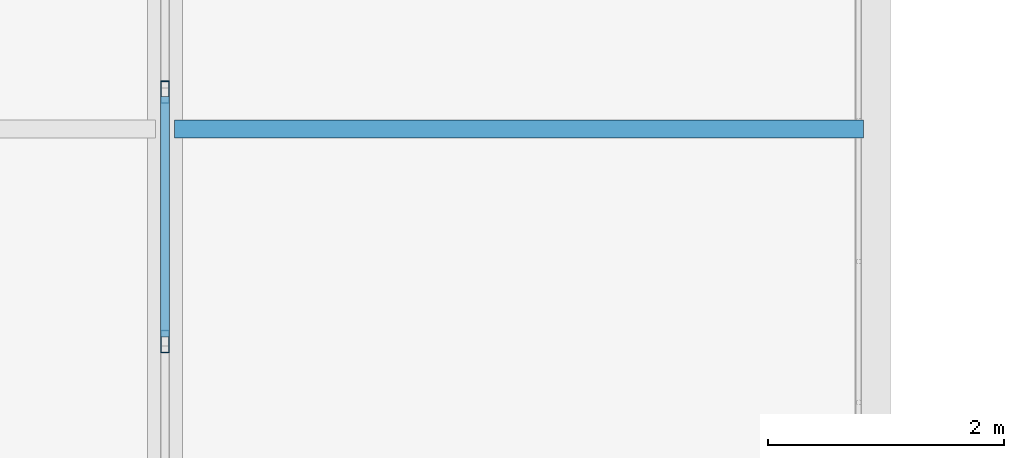
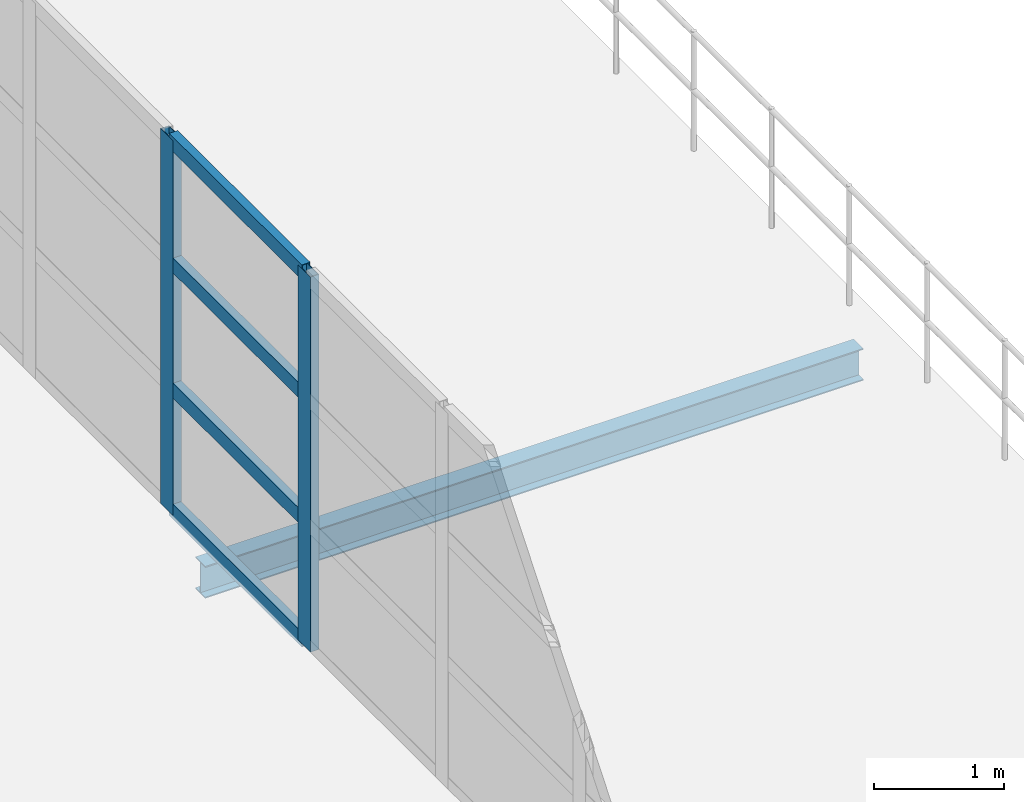
# One storey, part 13 of 86: 6 members, 1 beam, 1 element without a shape of its own.
"""IFC4 building model written with IfcOpenShell, lengths in metres."""

from ifc_helpers import new_model, si_unit, direction, frame, origin, origin_2d, place, context, subcontext, project, spatial, hollow_rectangle, i_section, extrude, material, layer, layer_set, material_profile, profile_set, type_object, element, aggregate, save


model = new_model("IFC4")

# Units and contexts
model_context = context("Model", 3, precision=1e-05, world=origin(), true_north=direction((0.0, 1.0)))
body_context = subcontext(model_context, "Body", "Model", "MODEL_VIEW")
ifc_project = project(units=[si_unit("LENGTHUNIT", "METRE"), si_unit("AREAUNIT", "SQUARE_METRE"), si_unit("VOLUMEUNIT", "CUBIC_METRE"), si_unit("PLANEANGLEUNIT", "RADIAN"), si_unit("MASSUNIT", "GRAM", prefix="KILO")], contexts=[model_context])

# Site, building, storey
site_placement = place(None, origin())
site = spatial("IfcSite", under=ifc_project, at=site_placement, CompositionType="ELEMENT")
building_placement = place(site_placement, origin())
building = spatial("IfcBuilding", under=site, at=building_placement, Name="Zilviju Railside Exhibition Hall", CompositionType="ELEMENT")
storey_placement = place(building_placement, frame((0.0, 0.0, 12.60009765625)))
storey = spatial("IfcBuildingStorey", under=building, at=storey_placement, Name="L04", CompositionType="ELEMENT", Elevation=12.60009765625)

# Beam
ifc_material_1 = material(Name="Steel S355J2", Category="steel")
ifc_material_profile_1 = material_profile(ifc_material_1, i_section(OverallWidth=0.14990234375, OverallDepth=0.300048828125, WebThickness=0.007080078125, FlangeThickness=0.0107421875, at=origin_2d()), Name="IPE 300")
ifc_profile_set_1 = profile_set([ifc_material_profile_1], Name="Steel S355J2")
beam_type = type_object("IfcBeamType", Name="BM-IPE300", PredefinedType="JOIST", material=ifc_profile_set_1)
beam_placement = place(storey_placement, frame((42.080078125, 94.800048828125, -0.489990234375), z_axis=(1.0, 0.0, 0.0), x_axis=(0.0, 1.0, 0.0)))
element("IfcBeam", 1, at=beam_placement, inside=storey, type_object=beam_type, Name="Composite Floor Joist L04 Y=94.80 (42.0..48.0)", PredefinedType="JOIST", context=body_context, shape_type="SweptSolid", body=[
    extrude(i_section(OverallWidth=0.14990234375, OverallDepth=0.300048828125, WebThickness=0.007080078125, FlangeThickness=0.0107421875, at=origin_2d()), origin(), (0.0, 0.0, 1.0), 5.83984375),
])

# Curtain wall, members
ifc_material_2 = material(Name="Thermally broken aluminium-steel triple-glazed curtain wall", Category="steel")
ifc_layer = layer(ifc_material_2, 0.179931640625)
ifc_layer_set = layer_set([ifc_layer], Name="Thermally broken aluminium-steel triple-glazed curtain wall")
curtain_wall_type = type_object("IfcCurtainWallType", Name="CW-BAY-07", PredefinedType="USERDEFINED", material=ifc_layer_set)
curtain_wall_placement = place(storey_placement, origin())
curtain_wall = element("IfcCurtainWall", 2, at=curtain_wall_placement, inside=storey, type_object=curtain_wall_type, Name="Organisers L04 Terrace Lounge Curtain Wall", ObjectType="GLAZED CURTAIN WALL", PredefinedType="USERDEFINED")
ifc_material_3 = material(Name="Thermally broken anodized aluminium mullion", Category="aluminium")
ifc_material_profile_2 = material_profile(ifc_material_3, hollow_rectangle(XDim=0.074951171875, YDim=0.18994140625, WallThickness=0.0048828125, at=origin_2d()), Name="MULLION 190x75x5")
ifc_profile_set_2 = profile_set([ifc_material_profile_2], Name="Thermally broken anodized aluminium mullion")
member_type_1 = type_object("IfcMemberType", Name="CWM-75x190", PredefinedType="MULLION", material=ifc_profile_set_2)
member_1_placement = place(storey_placement, frame((42.0, 95.112548828125, 0.0), z_axis=(0.0, 0.0, 1.0), x_axis=(1.0, 0.0, 0.0)))
member_1 = element("IfcMember", 3, at=member_1_placement, type_object=member_type_1, Name="CW-07 mullion 4", PredefinedType="MULLION", context=body_context, shape_type="SweptSolid", body=[
    extrude(hollow_rectangle(XDim=0.074951171875, YDim=0.18994140625, WallThickness=0.0048828125, at=origin_2d()), origin(), (0.0, 0.0, 1.0), 3.52001953125),
])
member_2_placement = place(storey_placement, frame((42.0, 93.0, 0.0), z_axis=(0.0, 0.0, 1.0), x_axis=(1.0, 0.0, 0.0)))
member_2 = element("IfcMember", 4, at=member_2_placement, type_object=member_type_1, Name="CW-07 mullion 5", PredefinedType="MULLION", context=body_context, shape_type="SweptSolid", body=[
    extrude(hollow_rectangle(XDim=0.074951171875, YDim=0.18994140625, WallThickness=0.0048828125, at=origin_2d()), origin(), (0.0, 0.0, 1.0), 3.52001953125),
])
ifc_material_4 = material(Name="Thermally broken anodized aluminium transom", Category="aluminium")
ifc_material_profile_3 = material_profile(ifc_material_4, hollow_rectangle(XDim=0.074951171875, YDim=0.139892578125, WallThickness=0.0048828125, at=origin_2d()), Name="TRANSOM 140x75x5")
ifc_profile_set_3 = profile_set([ifc_material_profile_3], Name="Thermally broken anodized aluminium transom")
member_type_2 = type_object("IfcMemberType", Name="CWT-75x140", PredefinedType="USERDEFINED", material=ifc_profile_set_3)
member_3_placement = place(storey_placement, frame((42.0, 95.074951171875, 0.037353515625), z_axis=(0.0, -1.0, 0.0), x_axis=(1.0, 0.0, 0.0)))
member_3 = element("IfcMember", 5, at=member_3_placement, type_object=member_type_2, Name="CW-07 transom 4.1", ObjectType="TRANSOM", PredefinedType="USERDEFINED", context=body_context, shape_type="SweptSolid", body=[
    extrude(hollow_rectangle(XDim=0.074951171875, YDim=0.139892578125, WallThickness=0.0048828125, at=origin_2d()), origin(), (0.0, 0.0, 1.0), 2.037353515625),
])
member_4_placement = place(storey_placement, frame((42.0, 95.074951171875, 1.1728515625), z_axis=(0.0, -1.0, 0.0), x_axis=(1.0, 0.0, 0.0)))
member_4 = element("IfcMember", 6, at=member_4_placement, type_object=member_type_2, Name="CW-07 transom 4.2", ObjectType="TRANSOM", PredefinedType="USERDEFINED", context=body_context, shape_type="SweptSolid", body=[
    extrude(hollow_rectangle(XDim=0.074951171875, YDim=0.139892578125, WallThickness=0.0048828125, at=origin_2d()), origin(), (0.0, 0.0, 1.0), 2.037353515625),
])
member_5_placement = place(storey_placement, frame((42.0, 95.074951171875, 2.346923828125), z_axis=(0.0, -1.0, 0.0), x_axis=(1.0, 0.0, 0.0)))
member_5 = element("IfcMember", 7, at=member_5_placement, type_object=member_type_2, Name="CW-07 transom 4.3", ObjectType="TRANSOM", PredefinedType="USERDEFINED", context=body_context, shape_type="SweptSolid", body=[
    extrude(hollow_rectangle(XDim=0.074951171875, YDim=0.139892578125, WallThickness=0.0048828125, at=origin_2d()), origin(), (0.0, 0.0, 1.0), 2.037353515625),
])
member_6_placement = place(storey_placement, frame((42.0, 95.074951171875, 3.482421875), z_axis=(0.0, -1.0, 0.0), x_axis=(1.0, 0.0, 0.0)))
member_6 = element("IfcMember", 8, at=member_6_placement, type_object=member_type_2, Name="CW-07 transom 4.4", ObjectType="TRANSOM", PredefinedType="USERDEFINED", context=body_context, shape_type="SweptSolid", body=[
    extrude(hollow_rectangle(XDim=0.074951171875, YDim=0.139892578125, WallThickness=0.0048828125, at=origin_2d()), origin(), (0.0, 0.0, 1.0), 2.037353515625),
])
aggregate(curtain_wall, [member_1, member_2, member_3, member_4, member_5, member_6])

save(model, "model.ifc")
